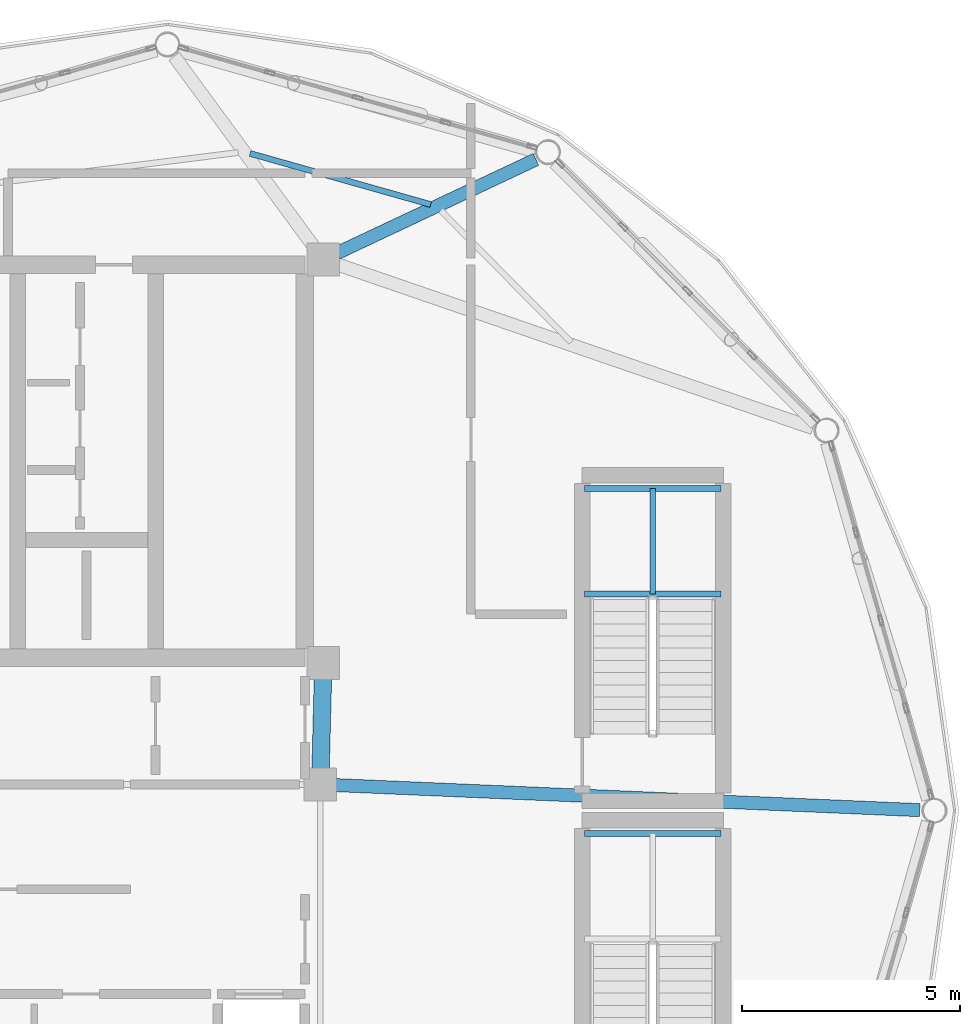
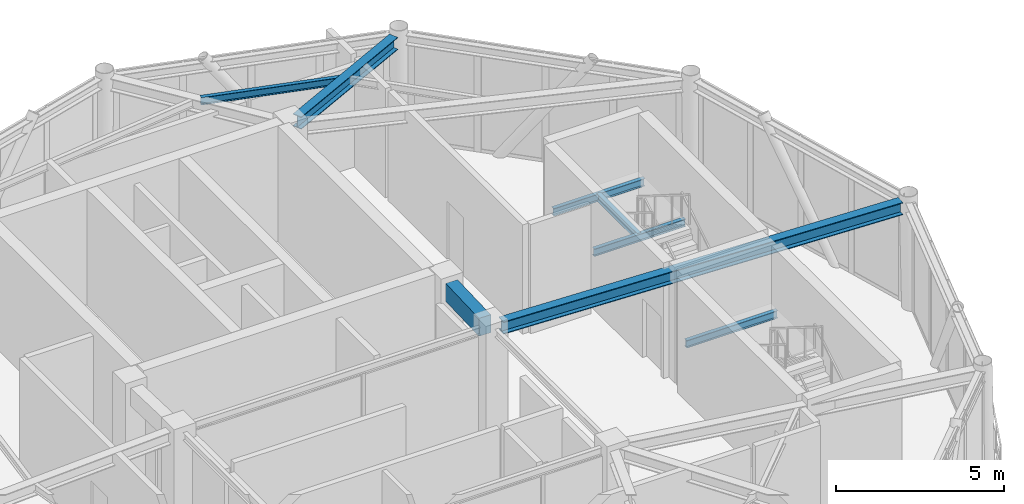
# One storey, part 11 of 21: 8 beams.
"""IFC4 building model written with IfcOpenShell, lengths in metres."""

import ifcopenshell
import ifcopenshell.guid

model = None  # the IFC model being written
_history = None  # IfcOwnerHistory: only IFC2X3 demands one
_inside = {}  # id of a spatial element -> (the spatial element, [elements in it])
_under = {}  # id of a project, library or spatial element -> (it, [spatial elements below it])
_declared = {}  # id of a project -> (the project, [libraries it declares])
_typed = {}  # id of a type object -> (the type object, [elements of that type])
_made_of = {}  # id of a material, layer set ... -> (it, [elements and type objects made of it])


def new_model(schema):
    """Start an empty IFC model of exactly this schema.

    Asked for "IFC4X3", IfcOpenShell would pick the latest addendum, in which some entities
    have other attributes; the version numbers below select the first issue.
    IFC2X3 requires an IfcOwnerHistory on every rooted entity: one is made here for all.
    """
    global model, _history
    if schema == "IFC4X3":
        model = ifcopenshell.file(schema_version=(4, 3, 0, 0))
    else:
        model = ifcopenshell.file(schema=schema)
    _inside.clear()
    _under.clear()
    _declared.clear()
    _typed.clear()
    _made_of.clear()
    _history = None
    if model.schema == "IFC2X3":
        org = make("IfcOrganization", Name="unknown")
        user = make(
            "IfcPersonAndOrganization",
            ThePerson=make("IfcPerson", FamilyName="unknown"),
            TheOrganization=org,
        )
        app = make(
            "IfcApplication",
            ApplicationDeveloper=org,
            Version="unknown",
            ApplicationFullName="unknown",
            ApplicationIdentifier="unknown",
        )
        _history = make(
            "IfcOwnerHistory",
            OwningUser=user,
            OwningApplication=app,
            ChangeAction="ADDED",
            CreationDate=0,
        )
    return model


def make(cls, **values):
    """One entity of the class cls with the attributes given. An attribute that is None is left unset."""
    return model.create_entity(
        cls, **{name: value for name, value in values.items() if value is not None}
    )


def rooted(cls, **values):
    """An entity with a GlobalId (a new one), such as an element, a storey or a relation."""
    return make(cls, GlobalId=ifcopenshell.guid.new(), OwnerHistory=_history, **values)


def si_unit(unit_type, name, prefix=None):
    """IfcSIUnit, for example si_unit("LENGTHUNIT", "METRE", prefix="MILLI")."""
    return make("IfcSIUnit", UnitType=unit_type, Prefix=prefix, Name=name)


def assignment(units):
    """IfcUnitAssignment: the units of a project."""
    return None if units is None else make("IfcUnitAssignment", Units=units)


def point(xyz):
    """IfcCartesianPoint."""
    return None if xyz is None else make("IfcCartesianPoint", Coordinates=xyz)


def direction(xyz):
    """IfcDirection."""
    return None if xyz is None else make("IfcDirection", DirectionRatios=xyz)


def frame(location, z_axis=None, x_axis=None):
    """IfcAxis2Placement3D, a coordinate frame: its origin and axes. An axis left out is left unset."""
    return make(
        "IfcAxis2Placement3D",
        Location=point(location),
        Axis=direction(z_axis),
        RefDirection=direction(x_axis),
    )


def frame_2d(location, x_axis=None):
    """IfcAxis2Placement2D, a coordinate frame in the plane: its origin and x axis."""
    return make(
        "IfcAxis2Placement2D", Location=point(location), RefDirection=direction(x_axis)
    )


def origin():
    """The frame at (0, 0, 0) with its axes left unset."""
    return frame((0.0, 0.0, 0.0))


def origin_2d():
    """The frame at (0, 0) in the plane with its x axis left unset."""
    return frame_2d((0.0, 0.0))


def place(relative_to, where):
    """IfcLocalPlacement: puts the frame where relative to a parent placement (None: the world)."""
    return make(
        "IfcLocalPlacement", PlacementRelTo=relative_to, RelativePlacement=where
    )


def context(
    kind, dimensions, precision=None, world=None, true_north=None, identifier=None
):
    """IfcGeometricRepresentationContext, for example the 3D "Model" context."""
    return make(
        "IfcGeometricRepresentationContext",
        ContextIdentifier=identifier,
        ContextType=kind,
        CoordinateSpaceDimension=dimensions,
        Precision=precision,
        WorldCoordinateSystem=world,
        TrueNorth=true_north,
    )


def subcontext(parent, identifier, kind, view, scale=None):
    """IfcGeometricRepresentationSubContext, for example "Body" below "Model"."""
    return make(
        "IfcGeometricRepresentationSubContext",
        ContextIdentifier=identifier,
        ContextType=kind,
        ParentContext=parent,
        TargetScale=scale,
        TargetView=view,
    )


def project(units=None, contexts=None):
    """IfcProject with its units and contexts."""
    return rooted(
        "IfcProject",
        Name="project",
        RepresentationContexts=contexts,
        UnitsInContext=assignment(units),
    )


def spatial(cls, under=None, at=None, **own):
    """A site, building, storey or space (cls), placed at a placement, below another one or the project."""
    s = rooted(cls, ObjectPlacement=at, **own)
    if under is not None:
        _under.setdefault(under.id(), (under, []))[1].append(s)
    return s


def profile(cls, at=None, kind="AREA", **sizes):
    """A parametric profile (cls). Its sizes go by their IFC names, for example OverallWidth=200.0."""
    return make(cls, ProfileType=kind, Position=at, **sizes)


def rectangle(**sizes):
    """IfcRectangleProfileDef."""
    return profile("IfcRectangleProfileDef", **sizes)


def i_section(**sizes):
    """IfcIShapeProfileDef."""
    return profile("IfcIShapeProfileDef", **sizes)


def extrude(swept, where, along, depth):
    """IfcExtrudedAreaSolid: the profile swept, set in the frame where, extruded along a direction by depth."""
    return make(
        "IfcExtrudedAreaSolid",
        SweptArea=swept,
        Position=where,
        ExtrudedDirection=direction(along),
        Depth=depth,
    )


def shape(context_of_items, identifier, shape_type, items):
    """IfcShapeRepresentation: the items that make up one representation, for example the "Body"."""
    return make(
        "IfcShapeRepresentation",
        ContextOfItems=context_of_items,
        RepresentationIdentifier=identifier,
        RepresentationType=shape_type,
        Items=items,
    )


def material(Name=None, Category=None):
    """IfcMaterial."""
    return make("IfcMaterial", Name=Name, Category=Category)


def material_profile(
    of_material, cross_section, Name=None, Category=None, Priority=None
):
    """IfcMaterialProfile: a cross section and its material."""
    return make(
        "IfcMaterialProfile",
        Name=Name,
        Material=of_material,
        Profile=cross_section,
        Priority=Priority,
        Category=Category,
    )


def profile_set(profiles, Name=None, composite=None):
    """IfcMaterialProfileSet."""
    return make(
        "IfcMaterialProfileSet",
        Name=Name,
        MaterialProfiles=profiles,
        CompositeProfile=composite,
    )


def made_of(thing, what):
    """Note that an element or type object is made of a material, layer set ...; save() writes the relation."""
    if what is not None:
        _made_of.setdefault(what.id(), (what, []))[1].append(thing)
    return thing


def type_object(cls, material=None, **own):
    """A type object (cls), such as IfcWallType, which elements share."""
    return made_of(rooted(cls, **own), material)


def element(
    cls,
    number,
    at=None,
    inside=None,
    cuts=None,
    type_object=None,
    material=None,
    context=None,
    identifier="Body",
    shape_type=None,
    held_by="IfcProductDefinitionShape",
    body=None,
    shapes=None,
    **own,
):
    """One element of the class cls, such as IfcWall. Its Tag is "e" and its number.

    at: its placement. inside: the storey or other place that contains it. cuts: it is an
    opening in that element (IfcRelVoidsElement). A single representation is given by context,
    identifier, shape_type and body (its items); several are given by shapes. held_by: the class
    of the entity that holds the representations. save() writes the other relations.
    """
    e = rooted(cls, Tag="e%d" % number, ObjectPlacement=at, **own)
    if body is not None:
        shapes = [shape(context, identifier, shape_type, body)]
    if shapes is not None:
        e.Representation = make(held_by, Representations=shapes)
    if inside is not None:
        _inside.setdefault(inside.id(), (inside, []))[1].append(e)
    if cuts is not None:
        rooted(
            "IfcRelVoidsElement", RelatingBuildingElement=cuts, RelatedOpeningElement=e
        )
    if type_object is not None:
        _typed.setdefault(type_object.id(), (type_object, []))[1].append(e)
    return made_of(e, material)


def aggregate(whole, parts):
    """IfcRelAggregates: a whole, such as a stair, and the parts it consists of."""
    return rooted("IfcRelAggregates", RelatingObject=whole, RelatedObjects=parts)


def save(model, path):
    """Write the relations noted so far, then the file.

    IfcRelAggregates (storeys below a building ...), IfcRelContainedInSpatialStructure (elements
    in a storey), IfcRelDefinesByType, IfcRelAssociatesMaterial and IfcRelDeclares: one each for
    every whole, place, type object, material and project.
    """
    for whole, parts in _under.values():
        aggregate(whole, parts)
    for where, things in _inside.values():
        rooted(
            "IfcRelContainedInSpatialStructure",
            RelatedElements=things,
            RelatingStructure=where,
        )
    for kind, things in _typed.values():
        rooted("IfcRelDefinesByType", RelatedObjects=things, RelatingType=kind)
    for what, things in _made_of.values():
        rooted("IfcRelAssociatesMaterial", RelatedObjects=things, RelatingMaterial=what)
    for by, libraries in _declared.values():
        rooted("IfcRelDeclares", RelatingContext=by, RelatedDefinitions=libraries)
    model.write(path)


model = new_model("IFC4")

# Units and contexts
model_context = context("Model", 3, precision=1e-05, world=origin(), true_north=direction((0.0, 1.0)))
body_context = subcontext(model_context, "Body", "Model", "MODEL_VIEW")
ifc_project = project(units=[si_unit("LENGTHUNIT", "METRE"), si_unit("AREAUNIT", "SQUARE_METRE"), si_unit("VOLUMEUNIT", "CUBIC_METRE"), si_unit("PLANEANGLEUNIT", "RADIAN"), si_unit("MASSUNIT", "GRAM", prefix="KILO")], contexts=[model_context])

# Site, building, storey
site_placement = place(None, origin())
site = spatial("IfcSite", under=ifc_project, at=site_placement, CompositionType="ELEMENT")
building_placement = place(site_placement, origin())
building = spatial("IfcBuilding", under=site, at=building_placement, Name="Varnakorn Sky Granary", CompositionType="ELEMENT")
storey_placement = place(building_placement, frame((0.0, 0.0, 298.199951171875)))
storey = spatial("IfcBuildingStorey", under=building, at=storey_placement, Name="L76", CompositionType="ELEMENT", Elevation=298.199951171875)

# Beams
ifc_material_1 = material(Name="Concrete C50/60", Category="concrete")
ifc_material_profile_1 = material_profile(ifc_material_1, rectangle(XDim=0.39990234375, YDim=0.64990234375, at=origin_2d()), Name="RC 400x650")
ifc_profile_set_1 = profile_set([ifc_material_profile_1], Name="Concrete C50/60")
beam_type_1 = type_object("IfcBeamType", Name="BM-LIN-650", PredefinedType="LINTEL", material=ifc_profile_set_1)
beam_1_placement = place(storey_placement, frame((8.4111328125, 3.025146484375, 3.635009765625), z_axis=(-0.025227817192, -0.999681727971, 0.0), x_axis=(0.999681727971, -0.025227817192, 0.0)))
element("IfcBeam", 1, at=beam_1_placement, inside=storey, type_object=beam_type_1, Name="Core Spine Framing Beam 2 L76", PredefinedType="LINTEL", context=body_context, shape_type="SweptSolid", body=[
    extrude(rectangle(XDim=0.39990234375, YDim=0.64990234375, at=origin_2d()), origin(), (0.0, 0.0, 1.0), 2.071044921875),
])
ifc_material_2 = material(Name="Steel S355JR", Category="steel")
ifc_material_profile_2 = material_profile(ifc_material_2, i_section(OverallWidth=0.135009765625, OverallDepth=0.27001953125, WebThickness=0.006591796875, FlangeThickness=0.01025390625, at=origin_2d()), Name="IPE 270")
ifc_profile_set_2 = profile_set([ifc_material_profile_2], Name="Steel S355JR")
beam_type_2 = type_object("IfcBeamType", Name="BM-LND-270", PredefinedType="BEAM", material=ifc_profile_set_2)
for number, where, z_axis, x_axis, name in (
    (2, (14.39990234375, 4.9599609375, 1.76513671875), (1.0, 0.0, 0.0), (0.0, 1.0, 0.0), "Stair ST-C1 Landing Trimmer Beam A L76-1"),
    (3, (14.39990234375, 7.3798828125, 1.76513671875), (1.0, 0.0, 0.0), (0.0, 1.0, 0.0), "Stair ST-C1 Landing Trimmer Beam B L76-1"),
):
    element("IfcBeam", number, at=place(storey_placement, frame(where, z_axis=z_axis, x_axis=x_axis)), inside=storey, type_object=beam_type_2, Name=name, PredefinedType="BEAM", context=body_context, shape_type="SweptSolid", body=[
        extrude(i_section(OverallWidth=0.135009765625, OverallDepth=0.27001953125, WebThickness=0.006591796875, FlangeThickness=0.01025390625, at=origin_2d()), origin(), (0.0, 0.0, 1.0), 3.130126953125),
    ])
beam_2_placement = place(storey_placement, frame((15.965087890625, 4.9599609375, 1.76513671875), z_axis=(0.0, 1.0, 0.0), x_axis=(-1.0, 0.0, 0.0)))
element("IfcBeam", 4, at=beam_2_placement, inside=storey, type_object=beam_type_2, Name="Stair ST-C1 Landing Cross Beam C L76-1", PredefinedType="BEAM", context=body_context, shape_type="SweptSolid", body=[
    extrude(i_section(OverallWidth=0.135009765625, OverallDepth=0.27001953125, WebThickness=0.006591796875, FlangeThickness=0.01025390625, at=origin_2d()), origin(), (0.0, 0.0, 1.0), 2.419921875),
])
beam_3_placement = place(storey_placement, frame((14.39990234375, -0.52001953125, 1.76513671875), z_axis=(1.0, 0.0, 0.0), x_axis=(0.0, 1.0, 0.0)))
element("IfcBeam", 5, at=beam_3_placement, inside=storey, type_object=beam_type_2, Name="Stair ST-C2 Landing Trimmer Beam B L76-1", PredefinedType="BEAM", context=body_context, shape_type="SweptSolid", body=[
    extrude(i_section(OverallWidth=0.135009765625, OverallDepth=0.27001953125, WebThickness=0.006591796875, FlangeThickness=0.01025390625, at=origin_2d()), origin(), (0.0, 0.0, 1.0), 3.130126953125),
])
ifc_material_profile_3 = material_profile(ifc_material_2, i_section(OverallWidth=0.300048828125, OverallDepth=0.449951171875, WebThickness=0.013916015625, FlangeThickness=0.02587890625, at=origin_2d()), Name="HE 450 B")
ifc_profile_set_3 = profile_set([ifc_material_profile_3], Name="Steel S355JR")
beam_type_3 = type_object("IfcBeamType", Name="BM-RAD-Z5", PredefinedType="BEAM", material=ifc_profile_set_3)
beam_4_placement = place(storey_placement, frame((8.70458984375, 0.584716796875, 3.735107421875), z_axis=(0.999081892431, -0.042841244347, 0.0), x_axis=(0.042841244347, 0.999081892431, 0.0)))
element("IfcBeam", 6, at=beam_4_placement, inside=storey, type_object=beam_type_3, Name="Radial Floor Girder RG01 L76", PredefinedType="BEAM", context=body_context, shape_type="SweptSolid", body=[
    extrude(i_section(OverallWidth=0.300048828125, OverallDepth=0.449951171875, WebThickness=0.013916015625, FlangeThickness=0.02587890625, at=origin_2d()), origin(), (0.0, 0.0, 1.0), 13.38623046875),
])
beam_5_placement = place(storey_placement, frame((8.7412109375, 12.771240234375, 3.735107421875), z_axis=(0.904660176832, 0.426133740104, 0.0), x_axis=(-0.426133740104, 0.904660176832, 0.0)))
element("IfcBeam", 7, at=beam_5_placement, inside=storey, type_object=beam_type_3, Name="Radial Floor Girder RG03 L76", PredefinedType="BEAM", context=body_context, shape_type="SweptSolid", body=[
    extrude(i_section(OverallWidth=0.300048828125, OverallDepth=0.449951171875, WebThickness=0.013916015625, FlangeThickness=0.02587890625, at=origin_2d()), origin(), (0.0, 0.0, 1.0), 5.02783203125),
])
ifc_material_profile_4 = material_profile(ifc_material_2, i_section(OverallWidth=0.135009765625, OverallDepth=0.27001953125, WebThickness=0.006591796875, FlangeThickness=0.01025390625, at=origin_2d()), Name="IPE 270")
ifc_profile_set_4 = profile_set([ifc_material_profile_4], Name="Steel S355JR")
beam_type_4 = type_object("IfcBeamType", Name="BM-SEC-Z5", PredefinedType="BEAM", material=ifc_profile_set_4)
beam_6_placement = place(storey_placement, frame((10.880615234375, 13.880615234375, 3.824951171875), z_axis=(-0.962229901283, 0.272238162418, 0.0), x_axis=(-0.272238162418, -0.962229901283, 0.0)))
element("IfcBeam", 8, at=beam_6_placement, inside=storey, type_object=beam_type_4, Name="Secondary Floor Chord Beam MSB03 L76", PredefinedType="BEAM", context=body_context, shape_type="SweptSolid", body=[
    extrude(i_section(OverallWidth=0.135009765625, OverallDepth=0.27001953125, WebThickness=0.006591796875, FlangeThickness=0.01025390625, at=origin_2d()), origin(), (0.0, 0.0, 1.0), 4.300048828125),
])

save(model, "model.ifc")
